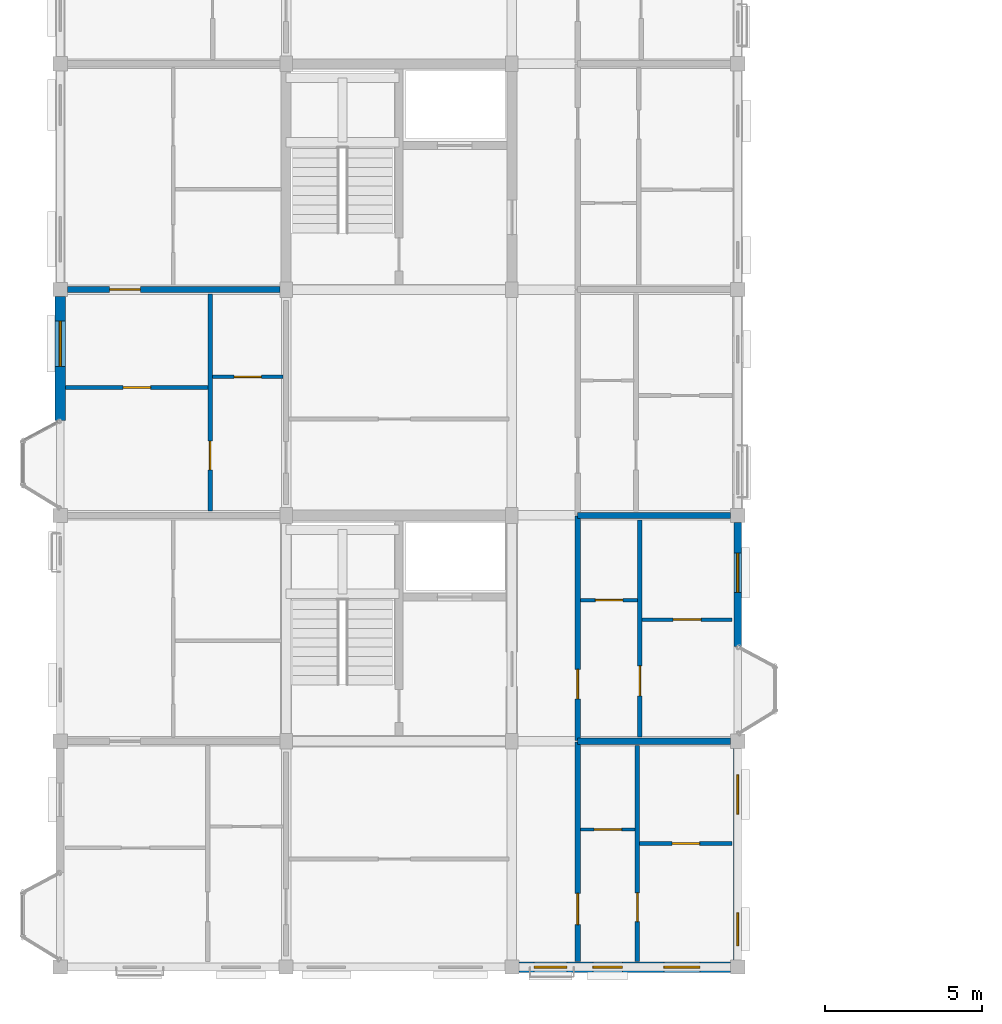
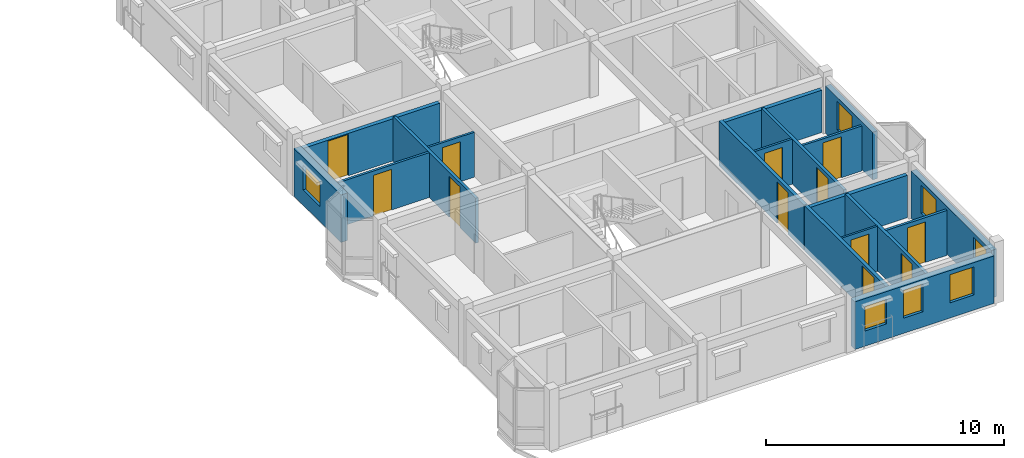
# One storey, part 17 of 28: 18 walls, 12 doors, 7 windows, 19 openings.
"""IFC4 building model written with IfcOpenShell, lengths in metres."""

from ifc_helpers import new_model, si_unit, direction, frame, frame_2d, origin, place, context, subcontext, project, spatial, rectangle, extrude, material, layer, layer_set, type_object, element, fill, save


model = new_model("IFC4")

# Units and contexts
model_context = context("Model", 3, precision=1e-05, world=origin(), true_north=direction((0.0, 1.0)))
body_context = subcontext(model_context, "Body", "Model", "MODEL_VIEW")
ifc_project = project(units=[si_unit("LENGTHUNIT", "METRE"), si_unit("AREAUNIT", "SQUARE_METRE"), si_unit("VOLUMEUNIT", "CUBIC_METRE"), si_unit("PLANEANGLEUNIT", "RADIAN"), si_unit("MASSUNIT", "GRAM", prefix="KILO"), si_unit("THERMODYNAMICTEMPERATUREUNIT", "KELVIN"), si_unit("POWERUNIT", "WATT")], contexts=[model_context])

# Site, building, storey
site_placement = place(None, origin())
site = spatial("IfcSite", under=ifc_project, at=site_placement, CompositionType="ELEMENT")
building_placement = place(site_placement, origin())
building = spatial("IfcBuilding", under=site, at=building_placement, Name="Tavuni Mirador Residences", CompositionType="ELEMENT")
storey_placement = place(building_placement, frame((0.0, 0.0, 39.14990234375)))
storey = spatial("IfcBuildingStorey", under=building, at=storey_placement, Name="L12", CompositionType="ELEMENT", Elevation=39.14990234375)

# Wall, opening, door
ifc_material_1 = material(Name="Precast concrete C40/50", Category="concrete")
ifc_layer_1 = layer(ifc_material_1, 0.1650390625, Name="Precast concrete C40/50", Category="concrete")
ifc_layer_set_1 = layer_set([ifc_layer_1], Name="Precast concrete C40/50")
wall_type_1 = type_object("IfcWallType", Name="WT-CORR165", PredefinedType="PARTITIONING", material=ifc_layer_set_1)
wall_1_placement = place(storey_placement, frame((20.10009765625, 7.375, 0.0), z_axis=(0.0, 0.0, 1.0), x_axis=(0.0, 1.0, 0.0)))
wall_1 = element("IfcWall", 1, at=wall_1_placement, inside=storey, type_object=wall_type_1, Name="CORW-BLK-A-L12-0-00", PredefinedType="PARTITIONING", context=body_context, shape_type="SweptSolid", body=[
    extrude(rectangle(XDim=7.0048828125, YDim=0.1650390625, at=frame_2d((3.50244140625, 0.0))), origin(), (0.0, 0.0, 1.0), 2.30517578125),
])
opening_1_placement = place(wall_1_placement, frame((1.175048828125, 0.0, 0.0)))
opening_1 = element("IfcOpeningElement", 2, at=opening_1_placement, cuts=wall_1, Name="Opening D-03", PredefinedType="OPENING", context=body_context, shape_type="SweptSolid", body=[
    extrude(rectangle(XDim=1.0, YDim=2.14990234375, at=frame_2d((0.5, 1.074951171875))), frame((0.0, 0.092529296875, 0.0), z_axis=(0.0, -1.0, 0.0), x_axis=(1.0, 0.0, 0.0)), (0.0, 0.0, 1.0), 0.18505859375),
])
ifc_material_2 = material(Name="Solid core iroko timber", Category="wood")
door_type_1 = type_object("IfcDoorType", Name="DT-FD60-1000", OperationType="NOTDEFINED", PredefinedType="DOOR", material=ifc_material_2)
door_1_placement = place(opening_1_placement, origin())
door_1 = element("IfcDoor", 3, at=door_1_placement, inside=storey, type_object=door_type_1, Name="DR-2493", OperationType="SINGLE_SWING_RIGHT", OverallHeight=2.14990234375, OverallWidth=1.0, PredefinedType="DOOR", context=body_context, shape_type="SweptSolid", body=[
    extrude(rectangle(XDim=1.0, YDim=2.14990234375, at=frame_2d((0.5, 1.074951171875))), frame((0.0, 0.02490234375, 0.0), z_axis=(0.0, -1.0, 0.0), x_axis=(1.0, 0.0, 0.0)), (0.0, 0.0, 1.0), 0.050048828125),
])
fill(opening_1, door_1)

wall_2_placement = place(storey_placement, frame((20.10009765625, 14.419921875, 0.0), z_axis=(0.0, 0.0, 1.0), x_axis=(0.0, 1.0, 0.0)))
wall_2 = element("IfcWall", 4, at=wall_2_placement, inside=storey, type_object=wall_type_1, Name="CORW-BLK-A-L12-0-01", PredefinedType="PARTITIONING", context=body_context, shape_type="SweptSolid", body=[
    extrude(rectangle(XDim=7.16015625, YDim=0.1650390625, at=frame_2d((3.580078125, 0.0))), origin(), (0.0, 0.0, 1.0), 2.30517578125),
])
opening_2_placement = place(wall_2_placement, frame((1.330078125, 0.0, 0.0)))
opening_2 = element("IfcOpeningElement", 5, at=opening_2_placement, cuts=wall_2, Name="Opening D-19", PredefinedType="OPENING", context=body_context, shape_type="SweptSolid", body=[
    extrude(rectangle(XDim=0.93994140625, YDim=2.1201171875, at=frame_2d((0.469970703125, 1.06005859375))), frame((0.0, 0.092529296875, 0.0), z_axis=(0.0, -1.0, 0.0), x_axis=(1.0, 0.0, 0.0)), (0.0, 0.0, 1.0), 0.18505859375),
])
door_type_2 = type_object("IfcDoorType", Name="DT-FD60-940", OperationType="NOTDEFINED", PredefinedType="DOOR", material=ifc_material_2)
door_2_placement = place(opening_2_placement, origin())
door_2 = element("IfcDoor", 6, at=door_2_placement, inside=storey, type_object=door_type_2, Name="DR-2494", OperationType="SINGLE_SWING_LEFT", OverallHeight=2.1201171875, OverallWidth=0.93994140625, PredefinedType="DOOR", context=body_context, shape_type="SweptSolid", body=[
    extrude(rectangle(XDim=0.93994140625, YDim=2.1201171875, at=frame_2d((0.469970703125, 1.06005859375))), frame((0.0, 0.02490234375, 0.0), z_axis=(0.0, -1.0, 0.0), x_axis=(1.0, 0.0, 0.0)), (0.0, 0.0, 1.0), 0.050048828125),
])
fill(opening_2, door_2)

# Wall, openings, windows
ifc_layer_2 = layer(ifc_material_1, 0.330078125, Name="Precast concrete C40/50", Category="concrete")
ifc_layer_set_2 = layer_set([ifc_layer_2], Name="Precast concrete C40/50")
wall_type_2 = type_object("IfcWallType", Name="WT-EXT-COR330", PredefinedType="SOLIDWALL", material=ifc_layer_set_2)
wall_3_placement = place(storey_placement, frame((18.22509765625, 7.199951171875, 0.0), z_axis=(0.0, 0.0, 1.0), x_axis=(1.0, 0.0, 0.0)))
wall_3 = element("IfcWall", 7, at=wall_3_placement, inside=storey, type_object=wall_type_2, Name="EW-BLK-A-L12-S02", PredefinedType="SOLIDWALL", context=body_context, shape_type="SweptSolid", body=[
    extrude(rectangle(XDim=6.75, YDim=0.330078125, at=frame_2d((3.375, 0.0))), origin(), (0.0, 0.0, 1.0), 2.440185546875),
])
opening_3_placement = place(wall_3_placement, frame((0.487548828125, 0.0, 0.780029296875)))
opening_3 = element("IfcOpeningElement", 8, at=opening_3_placement, cuts=wall_3, Name="Opening WN-11", PredefinedType="OPENING", context=body_context, shape_type="SweptSolid", body=[
    extrude(rectangle(XDim=1.0400390625, YDim=1.260009765625, at=frame_2d((0.52001953125, 0.6298828125))), frame((0.0, 0.175048828125, 0.0), z_axis=(0.0, -1.0, 0.0), x_axis=(1.0, 0.0, 0.0)), (0.0, 0.0, 1.0), 0.35009765625),
])
opening_4_placement = place(wall_3_placement, frame((2.35498046875, 0.0, 0.780029296875)))
opening_4 = element("IfcOpeningElement", 9, at=opening_4_placement, cuts=wall_3, Name="Opening WN-25", PredefinedType="OPENING", context=body_context, shape_type="SweptSolid", body=[
    extrude(rectangle(XDim=0.93994140625, YDim=1.43994140625, at=frame_2d((0.469970703125, 0.719970703125))), frame((0.0, 0.175048828125, 0.0), z_axis=(0.0, -1.0, 0.0), x_axis=(1.0, 0.0, 0.0)), (0.0, 0.0, 1.0), 0.35009765625),
])
opening_5_placement = place(wall_3_placement, frame((4.617431640625, 0.0, 0.780029296875)))
opening_5 = element("IfcOpeningElement", 10, at=opening_5_placement, cuts=wall_3, Name="Opening WN-27", PredefinedType="OPENING", context=body_context, shape_type="SweptSolid", body=[
    extrude(rectangle(XDim=1.14990234375, YDim=1.43994140625, at=frame_2d((0.574951171875, 0.719970703125))), frame((0.0, 0.175048828125, 0.0), z_axis=(0.0, -1.0, 0.0), x_axis=(1.0, 0.0, 0.0)), (0.0, 0.0, 1.0), 0.35009765625),
])
ifc_material_3 = material(Name="Laminated solar-control glass", Category="glass")
window_type_1 = type_object("IfcWindowType", Name="WNT-11", PartitioningType="SINGLE_PANEL", PredefinedType="WINDOW", material=ifc_material_3)
window_1_placement = place(opening_3_placement, origin())
window_1 = element("IfcWindow", 11, at=window_1_placement, inside=storey, type_object=window_type_1, Name="WIN-0430", OverallHeight=1.260009765625, OverallWidth=1.0400390625, PartitioningType="SINGLE_PANEL", PredefinedType="WINDOW", context=body_context, shape_type="SweptSolid", body=[
    extrude(rectangle(XDim=1.0400390625, YDim=1.260009765625, at=frame_2d((0.52001953125, 0.6298828125))), frame((0.0, 0.030029296875, 0.0), z_axis=(0.0, -1.0, 0.0), x_axis=(1.0, 0.0, 0.0)), (0.0, 0.0, 1.0), 0.06005859375),
])
fill(opening_3, window_1)
window_type_2 = type_object("IfcWindowType", Name="WNT-25", PartitioningType="SINGLE_PANEL", PredefinedType="WINDOW", material=ifc_material_3)
window_2_placement = place(opening_4_placement, origin())
window_2 = element("IfcWindow", 12, at=window_2_placement, inside=storey, type_object=window_type_2, Name="WIN-0431", OverallHeight=1.43994140625, OverallWidth=0.93994140625, PartitioningType="SINGLE_PANEL", PredefinedType="WINDOW", context=body_context, shape_type="SweptSolid", body=[
    extrude(rectangle(XDim=0.93994140625, YDim=1.43994140625, at=frame_2d((0.469970703125, 0.719970703125))), frame((0.0, 0.030029296875, 0.0), z_axis=(0.0, -1.0, 0.0), x_axis=(1.0, 0.0, 0.0)), (0.0, 0.0, 1.0), 0.06005859375),
])
fill(opening_4, window_2)
window_type_3 = type_object("IfcWindowType", Name="WNT-27", PartitioningType="SINGLE_PANEL", PredefinedType="WINDOW", material=ifc_material_3)
window_3_placement = place(opening_5_placement, origin())
window_3 = element("IfcWindow", 13, at=window_3_placement, inside=storey, type_object=window_type_3, Name="WIN-0432", OverallHeight=1.43994140625, OverallWidth=1.14990234375, PartitioningType="SINGLE_PANEL", PredefinedType="WINDOW", context=body_context, shape_type="SweptSolid", body=[
    extrude(rectangle(XDim=1.14990234375, YDim=1.43994140625, at=frame_2d((0.574951171875, 0.719970703125))), frame((0.0, 0.030029296875, 0.0), z_axis=(0.0, -1.0, 0.0), x_axis=(1.0, 0.0, 0.0)), (0.0, 0.0, 1.0), 0.06005859375),
])
fill(opening_5, window_3)

# Wall, opening, window
wall_4_placement = place(storey_placement, frame((3.60009765625, 28.574951171875, 0.0), z_axis=(0.0, 0.0, 1.0), x_axis=(0.0, -1.0, 0.0)))
wall_4 = element("IfcWall", 14, at=wall_4_placement, inside=storey, type_object=wall_type_2, Name="EW-BLK-A-L12-W02", PredefinedType="SOLIDWALL", context=body_context, shape_type="SweptSolid", body=[
    extrude(rectangle(XDim=3.954833984375, YDim=0.330078125, at=frame_2d((1.9775390625, 0.0))), origin(), (0.0, 0.0, 1.0), 2.440185546875),
])
opening_6_placement = place(wall_4_placement, frame((0.782470703125, 0.0, 0.780029296875)))
opening_6 = element("IfcOpeningElement", 15, at=opening_6_placement, cuts=wall_4, Name="Opening WN-16", PredefinedType="OPENING", context=body_context, shape_type="SweptSolid", body=[
    extrude(rectangle(XDim=1.43994140625, YDim=1.260009765625, at=frame_2d((0.719970703125, 0.6298828125))), frame((0.0, 0.175048828125, 0.0), z_axis=(0.0, -1.0, 0.0), x_axis=(1.0, 0.0, 0.0)), (0.0, 0.0, 1.0), 0.35009765625),
])
window_type_4 = type_object("IfcWindowType", Name="WNT-16", PartitioningType="SINGLE_PANEL", PredefinedType="WINDOW", material=ifc_material_3)
window_4_placement = place(opening_6_placement, origin())
window_4 = element("IfcWindow", 16, at=window_4_placement, inside=storey, type_object=window_type_4, Name="WIN-0453", OverallHeight=1.260009765625, OverallWidth=1.43994140625, PartitioningType="SINGLE_PANEL", PredefinedType="WINDOW", context=body_context, shape_type="SweptSolid", body=[
    extrude(rectangle(XDim=1.43994140625, YDim=1.260009765625, at=frame_2d((0.719970703125, 0.6298828125))), frame((0.0, 0.030029296875, 0.0), z_axis=(0.0, -1.0, 0.0), x_axis=(1.0, 0.0, 0.0)), (0.0, 0.0, 1.0), 0.06005859375),
])
fill(opening_6, window_4)

ifc_material_4 = material(Name="Sgraffito lime-rendered precast concrete C40/50", Category="concrete")
ifc_layer_3 = layer(ifc_material_4, 0.2451171875, Name="Sgraffito lime-rendered precast concrete C40/50", Category="concrete")
ifc_layer_set_3 = layer_set([ifc_layer_3], Name="Sgraffito lime-rendered precast concrete C40/50")
wall_type_3 = type_object("IfcWallType", Name="WT-EXT-PC245", PredefinedType="SOLIDWALL", material=ifc_layer_set_3)
wall_5_placement = place(storey_placement, frame((25.199951171875, 17.419921875, 0.0), z_axis=(0.0, 0.0, 1.0), x_axis=(0.0, 1.0, 0.0)))
wall_5 = element("IfcWall", 17, at=wall_5_placement, inside=storey, type_object=wall_type_3, Name="EW-BLK-A-L12-E01", PredefinedType="SOLIDWALL", context=body_context, shape_type="SweptSolid", body=[
    extrude(rectangle(XDim=3.955078125, YDim=0.2451171875, at=frame_2d((1.9775390625, 0.0))), origin(), (0.0, 0.0, 1.0), 2.440185546875),
])
opening_7_placement = place(wall_5_placement, frame((1.7275390625, 0.0, 0.780029296875)))
opening_7 = element("IfcOpeningElement", 18, at=opening_7_placement, cuts=wall_5, Name="Opening WN-28", PredefinedType="OPENING", context=body_context, shape_type="SweptSolid", body=[
    extrude(rectangle(XDim=1.25, YDim=1.43994140625, at=frame_2d((0.625, 0.719970703125))), frame((0.0, 0.132568359375, 0.0), z_axis=(0.0, -1.0, 0.0), x_axis=(1.0, 0.0, 0.0)), (0.0, 0.0, 1.0), 0.26513671875),
])
window_type_5 = type_object("IfcWindowType", Name="WNT-28", PartitioningType="SINGLE_PANEL", PredefinedType="WINDOW", material=ifc_material_3)
window_5_placement = place(opening_7_placement, origin())
window_5 = element("IfcWindow", 19, at=window_5_placement, inside=storey, type_object=window_type_5, Name="WIN-0435", OverallHeight=1.43994140625, OverallWidth=1.25, PartitioningType="SINGLE_PANEL", PredefinedType="WINDOW", context=body_context, shape_type="SweptSolid", body=[
    extrude(rectangle(XDim=1.25, YDim=1.43994140625, at=frame_2d((0.625, 0.719970703125))), frame((0.0, 0.030029296875, 0.0), z_axis=(0.0, -1.0, 0.0), x_axis=(1.0, 0.0, 0.0)), (0.0, 0.0, 1.0), 0.06005859375),
])
fill(opening_7, window_5)

# Wall, openings, windows
ifc_layer_4 = layer(ifc_material_4, 0.2548828125, Name="Sgraffito lime-rendered precast concrete C40/50", Category="concrete")
ifc_layer_set_4 = layer_set([ifc_layer_4], Name="Sgraffito lime-rendered precast concrete C40/50")
wall_type_4 = type_object("IfcWallType", Name="WT-EXT-PC255", PredefinedType="SOLIDWALL", material=ifc_layer_set_4)
wall_6_placement = place(storey_placement, frame((25.199951171875, 7.425048828125, 0.0), z_axis=(0.0, 0.0, 1.0), x_axis=(0.0, 1.0, 0.0)))
wall_6 = element("IfcWall", 20, at=wall_6_placement, inside=storey, type_object=wall_type_4, Name="EW-BLK-A-L12-E00", PredefinedType="SOLIDWALL", context=body_context, shape_type="SweptSolid", body=[
    extrude(rectangle(XDim=6.75, YDim=0.2548828125, at=frame_2d((3.375, 0.0))), origin(), (0.0, 0.0, 1.0), 2.440185546875),
])
opening_8_placement = place(wall_6_placement, frame((0.449951171875, 0.0, 0.780029296875)))
opening_8 = element("IfcOpeningElement", 21, at=opening_8_placement, cuts=wall_6, Name="Opening WN-26", PredefinedType="OPENING", context=body_context, shape_type="SweptSolid", body=[
    extrude(rectangle(XDim=1.050048828125, YDim=1.43994140625, at=frame_2d((0.52490234375, 0.719970703125))), frame((0.0, 0.137451171875, 0.0), z_axis=(0.0, -1.0, 0.0), x_axis=(1.0, 0.0, 0.0)), (0.0, 0.0, 1.0), 0.27490234375),
])
opening_9_placement = place(wall_6_placement, frame((4.64990234375, 0.0, 0.780029296875)))
opening_9 = element("IfcOpeningElement", 22, at=opening_9_placement, cuts=wall_6, Name="Opening WN-28", PredefinedType="OPENING", context=body_context, shape_type="SweptSolid", body=[
    extrude(rectangle(XDim=1.25, YDim=1.43994140625, at=frame_2d((0.625, 0.719970703125))), frame((0.0, 0.137451171875, 0.0), z_axis=(0.0, -1.0, 0.0), x_axis=(1.0, 0.0, 0.0)), (0.0, 0.0, 1.0), 0.27490234375),
])
window_type_6 = type_object("IfcWindowType", Name="WNT-26", PartitioningType="SINGLE_PANEL", PredefinedType="WINDOW", material=ifc_material_3)
window_6_placement = place(opening_8_placement, origin())
window_6 = element("IfcWindow", 23, at=window_6_placement, inside=storey, type_object=window_type_6, Name="WIN-0433", OverallHeight=1.43994140625, OverallWidth=1.050048828125, PartitioningType="SINGLE_PANEL", PredefinedType="WINDOW", context=body_context, shape_type="SweptSolid", body=[
    extrude(rectangle(XDim=1.050048828125, YDim=1.43994140625, at=frame_2d((0.52490234375, 0.719970703125))), frame((0.0, 0.030029296875, 0.0), z_axis=(0.0, -1.0, 0.0), x_axis=(1.0, 0.0, 0.0)), (0.0, 0.0, 1.0), 0.06005859375),
])
fill(opening_8, window_6)
window_7_placement = place(opening_9_placement, origin())
window_7 = element("IfcWindow", 24, at=window_7_placement, inside=storey, type_object=window_type_5, Name="WIN-0434", OverallHeight=1.43994140625, OverallWidth=1.25, PartitioningType="SINGLE_PANEL", PredefinedType="WINDOW", context=body_context, shape_type="SweptSolid", body=[
    extrude(rectangle(XDim=1.25, YDim=1.43994140625, at=frame_2d((0.625, 0.719970703125))), frame((0.0, 0.030029296875, 0.0), z_axis=(0.0, -1.0, 0.0), x_axis=(1.0, 0.0, 0.0)), (0.0, 0.0, 1.0), 0.06005859375),
])
fill(opening_9, window_7)

# Wall, opening, door
ifc_material_5 = material(Name="Acoustic gypsum and concrete block partition", Category="concrete")
ifc_layer_5 = layer(ifc_material_5, 0.094970703125, Name="Acoustic gypsum and concrete block partition", Category="concrete")
ifc_layer_set_5 = layer_set([ifc_layer_5], Name="Acoustic gypsum and concrete block partition")
wall_type_5 = type_object("IfcWallType", Name="WT-PART095", PredefinedType="PARTITIONING", material=ifc_layer_set_5)
wall_7_placement = place(storey_placement, frame((20.18994140625, 11.580078125, 0.0), z_axis=(0.0, 0.0, 1.0), x_axis=(1.0, 0.0, 0.0)))
wall_7 = element("IfcWall", 25, at=wall_7_placement, inside=storey, type_object=wall_type_5, Name="PW-BLK-A-L12-E00-IN1", PredefinedType="PARTITIONING", context=body_context, shape_type="SweptSolid", body=[
    extrude(rectangle(XDim=1.739990234375, YDim=0.094970703125, at=frame_2d((0.8701171875, 0.0))), origin(), (0.0, 0.0, 1.0), 2.30517578125),
])
opening_10_placement = place(wall_7_placement, frame((0.43505859375, 0.0, 0.0)))
opening_10 = element("IfcOpeningElement", 26, at=opening_10_placement, cuts=wall_7, Name="Opening D-10", PredefinedType="OPENING", context=body_context, shape_type="SweptSolid", body=[
    extrude(rectangle(XDim=0.8701171875, YDim=2.050048828125, at=frame_2d((0.43505859375, 1.02490234375))), frame((0.0, 0.0576171875, 0.0), z_axis=(0.0, -1.0, 0.0), x_axis=(1.0, 0.0, 0.0)), (0.0, 0.0, 1.0), 0.114990234375),
])
door_type_3 = type_object("IfcDoorType", Name="DT-WC870", OperationType="NOTDEFINED", PredefinedType="DOOR", material=ifc_material_2)
door_3_placement = place(opening_10_placement, origin())
door_3 = element("IfcDoor", 27, at=door_3_placement, inside=storey, type_object=door_type_3, Name="DR-3321", OperationType="SINGLE_SWING_LEFT", OverallHeight=2.050048828125, OverallWidth=0.8701171875, PredefinedType="DOOR", context=body_context, shape_type="SweptSolid", body=[
    extrude(rectangle(XDim=0.8701171875, YDim=2.050048828125, at=frame_2d((0.43505859375, 1.02490234375))), frame((0.0, 0.02490234375, 0.0), z_axis=(0.0, -1.0, 0.0), x_axis=(1.0, 0.0, 0.0)), (0.0, 0.0, 1.0), 0.050048828125),
])
fill(opening_10, door_3)

ifc_layer_6 = layer(ifc_material_5, 0.10498046875, Name="Acoustic gypsum and concrete block partition", Category="concrete")
ifc_layer_set_6 = layer_set([ifc_layer_6], Name="Acoustic gypsum and concrete block partition")
wall_type_6 = type_object("IfcWallType", Name="WT-PART105", PredefinedType="PARTITIONING", material=ifc_layer_set_6)
wall_8_placement = place(storey_placement, frame((20.18994140625, 18.89990234375, 0.0), z_axis=(0.0, 0.0, 1.0), x_axis=(1.0, 0.0, 0.0)))
wall_8 = element("IfcWall", 28, at=wall_8_placement, inside=storey, type_object=wall_type_6, Name="PW-BLK-A-L12-E01-IN1", PredefinedType="PARTITIONING", context=body_context, shape_type="SweptSolid", body=[
    extrude(rectangle(XDim=1.820068359375, YDim=0.10498046875, at=frame_2d((0.91015625, 0.0))), origin(), (0.0, 0.0, 1.0), 2.30517578125),
])
opening_11_placement = place(wall_8_placement, frame((0.47509765625, 0.0, 0.0)))
opening_11 = element("IfcOpeningElement", 29, at=opening_11_placement, cuts=wall_8, Name="Opening D-10", PredefinedType="OPENING", context=body_context, shape_type="SweptSolid", body=[
    extrude(rectangle(XDim=0.8701171875, YDim=2.050048828125, at=frame_2d((0.43505859375, 1.02490234375))), frame((0.0, 0.0625, 0.0), z_axis=(0.0, -1.0, 0.0), x_axis=(1.0, 0.0, 0.0)), (0.0, 0.0, 1.0), 0.125),
])
door_4_placement = place(opening_11_placement, origin())
door_4 = element("IfcDoor", 30, at=door_4_placement, inside=storey, type_object=door_type_3, Name="DR-3326", OperationType="SINGLE_SWING_RIGHT", OverallHeight=2.050048828125, OverallWidth=0.8701171875, PredefinedType="DOOR", context=body_context, shape_type="SweptSolid", body=[
    extrude(rectangle(XDim=0.8701171875, YDim=2.050048828125, at=frame_2d((0.43505859375, 1.02490234375))), frame((0.0, 0.02490234375, 0.0), z_axis=(0.0, -1.0, 0.0), x_axis=(1.0, 0.0, 0.0)), (0.0, 0.0, 1.0), 0.050048828125),
])
fill(opening_11, door_4)

wall_9_placement = place(storey_placement, frame((8.449951171875, 26.02001953125, 0.0), z_axis=(0.0, 0.0, 1.0), x_axis=(1.0, 0.0, 0.0)))
wall_9 = element("IfcWall", 31, at=wall_9_placement, inside=storey, type_object=wall_type_6, Name="PW-BLK-A-L12-W02-IN1", PredefinedType="PARTITIONING", context=body_context, shape_type="SweptSolid", body=[
    extrude(rectangle(XDim=2.260009765625, YDim=0.10498046875, at=frame_2d((1.1298828125, 0.0))), origin(), (0.0, 0.0, 1.0), 2.30517578125),
])
opening_12_placement = place(wall_9_placement, frame((0.695068359375, 0.0, 0.0)))
opening_12 = element("IfcOpeningElement", 32, at=opening_12_placement, cuts=wall_9, Name="Opening D-10", PredefinedType="OPENING", context=body_context, shape_type="SweptSolid", body=[
    extrude(rectangle(XDim=0.8701171875, YDim=2.050048828125, at=frame_2d((0.43505859375, 1.02490234375))), frame((0.0, 0.0625, 0.0), z_axis=(0.0, -1.0, 0.0), x_axis=(1.0, 0.0, 0.0)), (0.0, 0.0, 1.0), 0.125),
])
door_5_placement = place(opening_12_placement, origin())
door_5 = element("IfcDoor", 33, at=door_5_placement, inside=storey, type_object=door_type_3, Name="DR-3330", OperationType="SINGLE_SWING_LEFT", OverallHeight=2.050048828125, OverallWidth=0.8701171875, PredefinedType="DOOR", context=body_context, shape_type="SweptSolid", body=[
    extrude(rectangle(XDim=0.8701171875, YDim=2.050048828125, at=frame_2d((0.43505859375, 1.02490234375))), frame((0.0, 0.02490234375, 0.0), z_axis=(0.0, -1.0, 0.0), x_axis=(1.0, 0.0, 0.0)), (0.0, 0.0, 1.0), 0.050048828125),
])
fill(opening_12, door_5)

ifc_layer_7 = layer(ifc_material_5, 0.114990234375, Name="Acoustic gypsum and concrete block partition", Category="concrete")
ifc_layer_set_7 = layer_set([ifc_layer_7], Name="Acoustic gypsum and concrete block partition")
wall_type_7 = type_object("IfcWallType", Name="WT-PART115", PredefinedType="PARTITIONING", material=ifc_layer_set_7)
wall_10_placement = place(storey_placement, frame((22.14990234375, 18.280029296875, 0.0), z_axis=(0.0, 0.0, 1.0), x_axis=(1.0, 0.0, 0.0)))
wall_10 = element("IfcWall", 34, at=wall_10_placement, inside=storey, type_object=wall_type_7, Name="PW-BLK-A-L12-E01-OUT", PredefinedType="PARTITIONING", context=body_context, shape_type="SweptSolid", body=[
    extrude(rectangle(XDim=2.875, YDim=0.114990234375, at=frame_2d((1.4375, 0.0))), origin(), (0.0, 0.0, 1.0), 2.30517578125),
])
opening_13_placement = place(wall_10_placement, frame((0.987548828125, 0.0, 0.0)))
opening_13 = element("IfcOpeningElement", 35, at=opening_13_placement, cuts=wall_10, Name="Opening D-07", PredefinedType="OPENING", context=body_context, shape_type="SweptSolid", body=[
    extrude(rectangle(XDim=0.89990234375, YDim=2.10009765625, at=frame_2d((0.449951171875, 1.050048828125))), frame((0.0, 0.0673828125, 0.0), z_axis=(0.0, -1.0, 0.0), x_axis=(1.0, 0.0, 0.0)), (0.0, 0.0, 1.0), 0.135009765625),
])
door_type_4 = type_object("IfcDoorType", Name="DT-BED900", OperationType="NOTDEFINED", PredefinedType="DOOR", material=ifc_material_2)
door_6_placement = place(opening_13_placement, origin())
door_6 = element("IfcDoor", 36, at=door_6_placement, inside=storey, type_object=door_type_4, Name="DR-3325", OperationType="SINGLE_SWING_LEFT", OverallHeight=2.10009765625, OverallWidth=0.89990234375, PredefinedType="DOOR", context=body_context, shape_type="SweptSolid", body=[
    extrude(rectangle(XDim=0.89990234375, YDim=2.10009765625, at=frame_2d((0.449951171875, 1.050048828125))), frame((0.0, 0.02490234375, 0.0), z_axis=(0.0, -1.0, 0.0), x_axis=(1.0, 0.0, 0.0)), (0.0, 0.0, 1.0), 0.050048828125),
])
fill(opening_13, door_6)

wall_11_placement = place(storey_placement, frame((3.77490234375, 25.679931640625, 0.0), z_axis=(0.0, 0.0, 1.0), x_axis=(1.0, 0.0, 0.0)))
wall_11 = element("IfcWall", 37, at=wall_11_placement, inside=storey, type_object=wall_type_7, Name="PW-BLK-A-L12-W02-OUT", PredefinedType="PARTITIONING", context=body_context, shape_type="SweptSolid", body=[
    extrude(rectangle(XDim=4.53515625, YDim=0.114990234375, at=frame_2d((2.267578125, 0.0))), origin(), (0.0, 0.0, 1.0), 2.30517578125),
])
opening_14_placement = place(wall_11_placement, frame((1.827392578125, 0.0, 0.0)))
opening_14 = element("IfcOpeningElement", 38, at=opening_14_placement, cuts=wall_11, Name="Opening D-08", PredefinedType="OPENING", context=body_context, shape_type="SweptSolid", body=[
    extrude(rectangle(XDim=0.8798828125, YDim=2.080078125, at=frame_2d((0.43994140625, 1.0400390625))), frame((0.0, 0.0673828125, 0.0), z_axis=(0.0, -1.0, 0.0), x_axis=(1.0, 0.0, 0.0)), (0.0, 0.0, 1.0), 0.135009765625),
])
door_type_5 = type_object("IfcDoorType", Name="DT-BED880", OperationType="NOTDEFINED", PredefinedType="DOOR", material=ifc_material_2)
door_7_placement = place(opening_14_placement, origin())
door_7 = element("IfcDoor", 39, at=door_7_placement, inside=storey, type_object=door_type_5, Name="DR-3329", OperationType="SINGLE_SWING_RIGHT", OverallHeight=2.080078125, OverallWidth=0.8798828125, PredefinedType="DOOR", context=body_context, shape_type="SweptSolid", body=[
    extrude(rectangle(XDim=0.8798828125, YDim=2.080078125, at=frame_2d((0.43994140625, 1.0400390625))), frame((0.0, 0.02490234375, 0.0), z_axis=(0.0, -1.0, 0.0), x_axis=(1.0, 0.0, 0.0)), (0.0, 0.0, 1.0), 0.050048828125),
])
fill(opening_14, door_7)

ifc_layer_8 = layer(ifc_material_5, 0.125, Name="Acoustic gypsum and concrete block partition", Category="concrete")
ifc_layer_set_8 = layer_set([ifc_layer_8], Name="Acoustic gypsum and concrete block partition")
wall_type_8 = type_object("IfcWallType", Name="WT-PART125", PredefinedType="PARTITIONING", material=ifc_layer_set_8)
wall_12_placement = place(storey_placement, frame((22.070068359375, 11.139892578125, 0.0), z_axis=(0.0, 0.0, 1.0), x_axis=(1.0, 0.0, 0.0)))
wall_12 = element("IfcWall", 40, at=wall_12_placement, inside=storey, type_object=wall_type_8, Name="PW-BLK-A-L12-E00-OUT", PredefinedType="PARTITIONING", context=body_context, shape_type="SweptSolid", body=[
    extrude(rectangle(XDim=2.954833984375, YDim=0.125, at=frame_2d((1.4775390625, 0.0))), origin(), (0.0, 0.0, 1.0), 2.30517578125),
])
opening_15_placement = place(wall_12_placement, frame((1.03759765625, 0.0, 0.0)))
opening_15 = element("IfcOpeningElement", 41, at=opening_15_placement, cuts=wall_12, Name="Opening D-08", PredefinedType="OPENING", context=body_context, shape_type="SweptSolid", body=[
    extrude(rectangle(XDim=0.8798828125, YDim=2.080078125, at=frame_2d((0.43994140625, 1.0400390625))), frame((0.0, 0.072509765625, 0.0), z_axis=(0.0, -1.0, 0.0), x_axis=(1.0, 0.0, 0.0)), (0.0, 0.0, 1.0), 0.14501953125),
])
door_8_placement = place(opening_15_placement, origin())
door_8 = element("IfcDoor", 42, at=door_8_placement, inside=storey, type_object=door_type_5, Name="DR-3320", OperationType="SINGLE_SWING_RIGHT", OverallHeight=2.080078125, OverallWidth=0.8798828125, PredefinedType="DOOR", context=body_context, shape_type="SweptSolid", body=[
    extrude(rectangle(XDim=0.8798828125, YDim=2.080078125, at=frame_2d((0.43994140625, 1.0400390625))), frame((0.0, 0.02490234375, 0.0), z_axis=(0.0, -1.0, 0.0), x_axis=(1.0, 0.0, 0.0)), (0.0, 0.0, 1.0), 0.050048828125),
])
fill(opening_15, door_8)

ifc_layer_9 = layer(ifc_material_5, 0.139892578125, Name="Acoustic gypsum and concrete block partition", Category="concrete")
ifc_layer_set_9 = layer_set([ifc_layer_9], Name="Acoustic gypsum and concrete block partition")
wall_type_9 = type_object("IfcWallType", Name="WT-PART140", PredefinedType="PARTITIONING", material=ifc_layer_set_9)
wall_13_placement = place(storey_placement, frame((22.080078125, 14.5400390625, 0.0), z_axis=(0.0, 0.0, 1.0), x_axis=(0.0, 1.0, 0.0)))
wall_13 = element("IfcWall", 43, at=wall_13_placement, inside=storey, type_object=wall_type_9, Name="PW-BLK-A-L12-E01-MID", PredefinedType="PARTITIONING", context=body_context, shape_type="SweptSolid", body=[
    extrude(rectangle(XDim=6.919921875, YDim=0.139892578125, at=frame_2d((3.4599609375, 0.0))), origin(), (0.0, 0.0, 1.0), 2.30517578125),
])
opening_16_placement = place(wall_13_placement, frame((1.31005859375, 0.0, 0.0)))
opening_16 = element("IfcOpeningElement", 44, at=opening_16_placement, cuts=wall_13, Name="Opening D-05", PredefinedType="OPENING", context=body_context, shape_type="SweptSolid", body=[
    extrude(rectangle(XDim=0.949951171875, YDim=2.10009765625, at=frame_2d((0.47509765625, 1.050048828125))), frame((0.0, 0.080078125, 0.0), z_axis=(0.0, -1.0, 0.0), x_axis=(1.0, 0.0, 0.0)), (0.0, 0.0, 1.0), 0.159912109375),
])
door_type_6 = type_object("IfcDoorType", Name="DT-INT950", OperationType="NOTDEFINED", PredefinedType="DOOR", material=ifc_material_2)
door_9_placement = place(opening_16_placement, origin())
door_9 = element("IfcDoor", 45, at=door_9_placement, inside=storey, type_object=door_type_6, Name="DR-3327", OperationType="SINGLE_SWING_LEFT", OverallHeight=2.10009765625, OverallWidth=0.949951171875, PredefinedType="DOOR", context=body_context, shape_type="SweptSolid", body=[
    extrude(rectangle(XDim=0.949951171875, YDim=2.10009765625, at=frame_2d((0.47509765625, 1.050048828125))), frame((0.0, 0.02490234375, 0.0), z_axis=(0.0, -1.0, 0.0), x_axis=(1.0, 0.0, 0.0)), (0.0, 0.0, 1.0), 0.050048828125),
])
fill(opening_16, door_9)

wall_14_placement = place(storey_placement, frame((8.3798828125, 21.739990234375, 0.0), z_axis=(0.0, 0.0, 1.0), x_axis=(0.0, 1.0, 0.0)))
wall_14 = element("IfcWall", 46, at=wall_14_placement, inside=storey, type_object=wall_type_9, Name="PW-BLK-A-L12-W02-MID", PredefinedType="PARTITIONING", context=body_context, shape_type="SweptSolid", body=[
    extrude(rectangle(XDim=6.919921875, YDim=0.139892578125, at=frame_2d((3.4599609375, 0.0))), origin(), (0.0, 0.0, 1.0), 2.30517578125),
])
opening_17_placement = place(wall_14_placement, frame((1.31005859375, 0.0, 0.0)))
opening_17 = element("IfcOpeningElement", 47, at=opening_17_placement, cuts=wall_14, Name="Opening D-06", PredefinedType="OPENING", context=body_context, shape_type="SweptSolid", body=[
    extrude(rectangle(XDim=0.919921875, YDim=2.10009765625, at=frame_2d((0.4599609375, 1.050048828125))), frame((0.0, 0.080078125, 0.0), z_axis=(0.0, -1.0, 0.0), x_axis=(1.0, 0.0, 0.0)), (0.0, 0.0, 1.0), 0.159912109375),
])
door_type_7 = type_object("IfcDoorType", Name="DT-INT920", OperationType="NOTDEFINED", PredefinedType="DOOR", material=ifc_material_2)
door_10_placement = place(opening_17_placement, origin())
door_10 = element("IfcDoor", 48, at=door_10_placement, inside=storey, type_object=door_type_7, Name="DR-3331", OperationType="SINGLE_SWING_RIGHT", OverallHeight=2.10009765625, OverallWidth=0.919921875, PredefinedType="DOOR", context=body_context, shape_type="SweptSolid", body=[
    extrude(rectangle(XDim=0.919921875, YDim=2.10009765625, at=frame_2d((0.4599609375, 1.050048828125))), frame((0.0, 0.02490234375, 0.0), z_axis=(0.0, -1.0, 0.0), x_axis=(1.0, 0.0, 0.0)), (0.0, 0.0, 1.0), 0.050048828125),
])
fill(opening_17, door_10)

ifc_layer_10 = layer(ifc_material_5, 0.14990234375, Name="Acoustic gypsum and concrete block partition", Category="concrete")
ifc_layer_set_10 = layer_set([ifc_layer_10], Name="Acoustic gypsum and concrete block partition")
wall_type_10 = type_object("IfcWallType", Name="WT-PART150", PredefinedType="PARTITIONING", material=ifc_layer_set_10)
wall_15_placement = place(storey_placement, frame((22.0, 7.375, 0.0), z_axis=(0.0, 0.0, 1.0), x_axis=(0.0, 1.0, 0.0)))
wall_15 = element("IfcWall", 49, at=wall_15_placement, inside=storey, type_object=wall_type_10, Name="PW-BLK-A-L12-E00-MID", PredefinedType="PARTITIONING", context=body_context, shape_type="SweptSolid", body=[
    extrude(rectangle(XDim=6.885009765625, YDim=0.14990234375, at=frame_2d((3.4423828125, 0.0))), origin(), (0.0, 0.0, 1.0), 2.30517578125),
])
opening_18_placement = place(wall_15_placement, frame((1.27490234375, 0.0, 0.0)))
opening_18 = element("IfcOpeningElement", 50, at=opening_18_placement, cuts=wall_15, Name="Opening D-06", PredefinedType="OPENING", context=body_context, shape_type="SweptSolid", body=[
    extrude(rectangle(XDim=0.919921875, YDim=2.10009765625, at=frame_2d((0.4599609375, 1.050048828125))), frame((0.0, 0.0849609375, 0.0), z_axis=(0.0, -1.0, 0.0), x_axis=(1.0, 0.0, 0.0)), (0.0, 0.0, 1.0), 0.169921875),
])
door_11_placement = place(opening_18_placement, origin())
door_11 = element("IfcDoor", 51, at=door_11_placement, inside=storey, type_object=door_type_7, Name="DR-3322", OperationType="SINGLE_SWING_RIGHT", OverallHeight=2.10009765625, OverallWidth=0.919921875, PredefinedType="DOOR", context=body_context, shape_type="SweptSolid", body=[
    extrude(rectangle(XDim=0.919921875, YDim=2.10009765625, at=frame_2d((0.4599609375, 1.050048828125))), frame((0.0, 0.02490234375, 0.0), z_axis=(0.0, -1.0, 0.0), x_axis=(1.0, 0.0, 0.0)), (0.0, 0.0, 1.0), 0.050048828125),
])
fill(opening_18, door_11)

# Walls
ifc_layer_11 = layer(ifc_material_1, 0.195068359375, Name="Precast concrete C40/50", Category="concrete")
ifc_layer_set_11 = layer_set([ifc_layer_11], Name="Precast concrete C40/50")
wall_type_11 = type_object("IfcWallType", Name="WT-XW195", PredefinedType="SOLIDWALL", material=ifc_layer_set_11)
for number, where, z_axis, x_axis, name in (
    (52, (20.10009765625, 14.39990234375, 0.0), (0.0, 0.0, 1.0), (1.0, 0.0, 0.0), "XW-BLK-A-L12-E-01"),
    (53, (20.10009765625, 21.60009765625, 0.0), (0.0, 0.0, 1.0), (1.0, 0.0, 0.0), "XW-BLK-A-L12-E-02"),
):
    element("IfcWall", number, at=place(storey_placement, frame(where, z_axis=z_axis, x_axis=x_axis)), inside=storey, type_object=wall_type_11, Name=name, PredefinedType="SOLIDWALL", context=body_context, shape_type="SweptSolid", body=[
        extrude(rectangle(XDim=4.875, YDim=0.195068359375, at=frame_2d((2.4375, 0.0))), origin(), (0.0, 0.0, 1.0), 2.170166015625),
    ])

# Wall, opening, door
wall_16_placement = place(storey_placement, frame((3.824951171875, 28.800048828125, 0.0), z_axis=(0.0, 0.0, 1.0), x_axis=(1.0, 0.0, 0.0)))
wall_16 = element("IfcWall", 54, at=wall_16_placement, inside=storey, type_object=wall_type_11, Name="XW-BLK-A-L12-W-03", PredefinedType="SOLIDWALL", context=body_context, shape_type="SweptSolid", body=[
    extrude(rectangle(XDim=6.775146484375, YDim=0.195068359375, at=frame_2d((3.3876953125, 0.0))), origin(), (0.0, 0.0, 1.0), 2.170166015625),
])
opening_19_placement = place(wall_16_placement, frame((1.35009765625, 0.0, 0.0)))
opening_19 = element("IfcOpeningElement", 55, at=opening_19_placement, cuts=wall_16, Name="Opening D-04", PredefinedType="OPENING", context=body_context, shape_type="SweptSolid", body=[
    extrude(rectangle(XDim=0.97998046875, YDim=2.1201171875, at=frame_2d((0.489990234375, 1.06005859375))), frame((0.0, 0.107421875, 0.0), z_axis=(0.0, -1.0, 0.0), x_axis=(1.0, 0.0, 0.0)), (0.0, 0.0, 1.0), 0.215087890625),
])
door_type_8 = type_object("IfcDoorType", Name="DT-FD60-980", OperationType="NOTDEFINED", PredefinedType="DOOR", material=ifc_material_2)
door_12_placement = place(opening_19_placement, origin())
door_12 = element("IfcDoor", 56, at=door_12_placement, inside=storey, type_object=door_type_8, Name="DR-4699", OperationType="SINGLE_SWING_RIGHT", OverallHeight=2.1201171875, OverallWidth=0.97998046875, PredefinedType="DOOR", context=body_context, shape_type="SweptSolid", body=[
    extrude(rectangle(XDim=0.97998046875, YDim=2.1201171875, at=frame_2d((0.489990234375, 1.06005859375))), frame((0.0, 0.02490234375, 0.0), z_axis=(0.0, -1.0, 0.0), x_axis=(1.0, 0.0, 0.0)), (0.0, 0.0, 1.0), 0.050048828125),
])
fill(opening_19, door_12)

save(model, "model.ifc")
